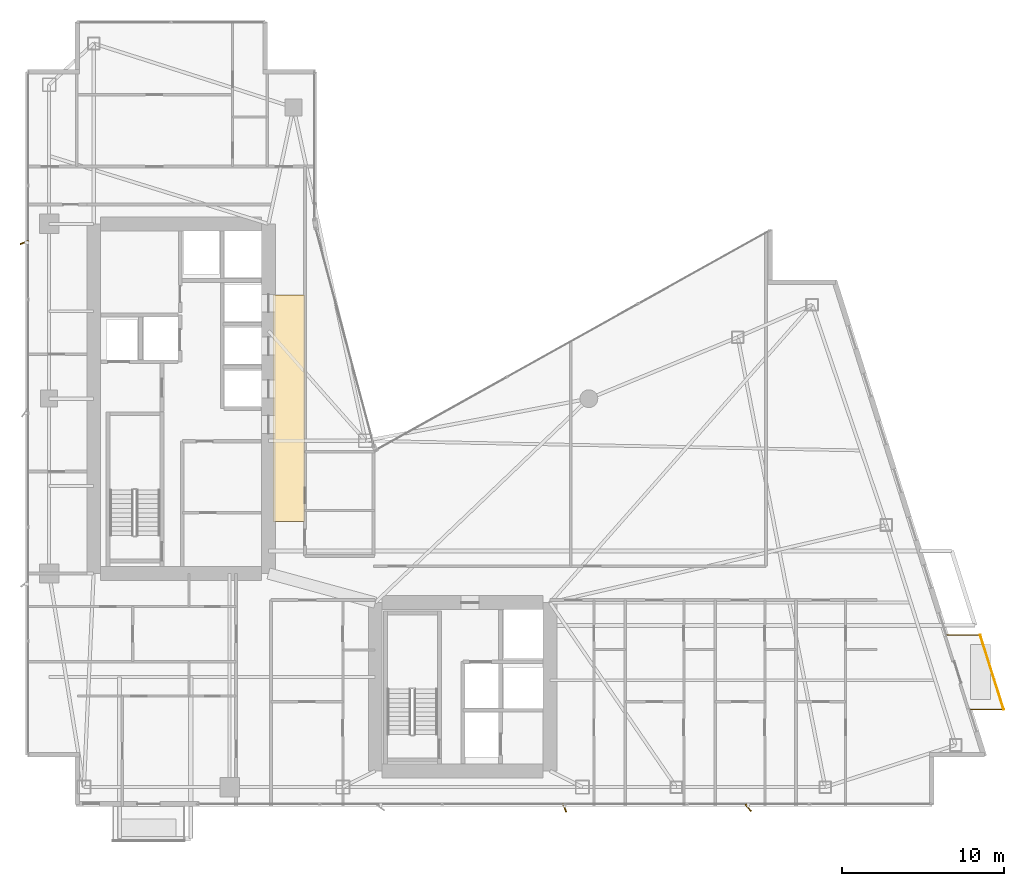
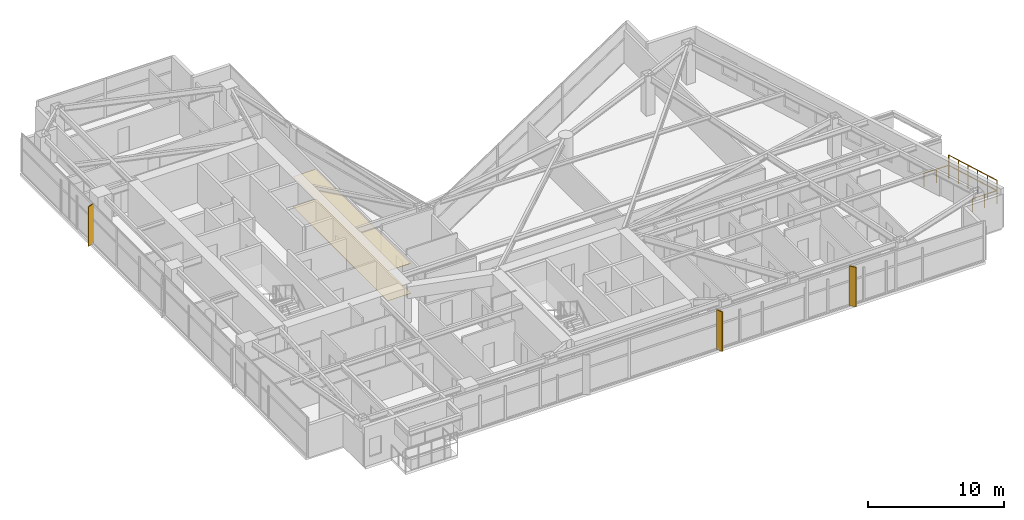
# One storey, part 29 of 29: 3 shading devices, 2 coverings, 2 railings.
"""IFC4 building model written with IfcOpenShell, lengths in metres."""

from ifc_helpers import new_model, si_unit, direction, frame, origin, origin_2d, place, context, subcontext, project, spatial, rectangle, circle, extrude, material, layer, layer_set, type_object, element, save


model = new_model("IFC4")

# Units and contexts
model_context = context("Model", 3, precision=1e-05, world=origin(), true_north=direction((0.0, 1.0)))
body_context = subcontext(model_context, "Body", "Model", "MODEL_VIEW")
ifc_project = project(units=[si_unit("LENGTHUNIT", "METRE"), si_unit("AREAUNIT", "SQUARE_METRE"), si_unit("VOLUMEUNIT", "CUBIC_METRE"), si_unit("PLANEANGLEUNIT", "RADIAN"), si_unit("MASSUNIT", "GRAM", prefix="KILO")], contexts=[model_context])

# Site, building, storey
site_placement = place(None, origin())
site = spatial("IfcSite", under=ifc_project, at=site_placement, CompositionType="ELEMENT")
building_placement = place(site_placement, origin())
building = spatial("IfcBuilding", under=site, at=building_placement, Name="Calvorn Quay Hotel", CompositionType="ELEMENT")
storey_placement = place(building_placement, frame((0.0, 0.0, 171.300048828125)))
storey = spatial("IfcBuildingStorey", under=building, at=storey_placement, Name="L42", CompositionType="ELEMENT", Elevation=171.300048828125)

# Coverings
ifc_material_1 = material(Name="Mineral-Fibre Acoustic Ceiling Tile")
ifc_layer_1 = layer(ifc_material_1, 0.02001953125)
ifc_layer_set_1 = layer_set([ifc_layer_1], Name="COV-CEILING-ACOUSTIC")
covering_type_1 = type_object("IfcCoveringType", Name="COV-CEILING-ACOUSTIC", PredefinedType="CEILING", material=ifc_layer_set_1)
covering_1_placement = place(storey_placement, frame((16.25, 27.0, 2.699951171875), z_axis=(0.0, 0.0, 1.0), x_axis=(1.0, 0.0, 0.0)))
element("IfcCovering", 1, at=covering_1_placement, inside=storey, type_object=covering_type_1, Name="Acoustic Suspended Ceiling (L42)", PredefinedType="CEILING", context=body_context, shape_type="SweptSolid", body=[
    extrude(rectangle(XDim=1.9599609375, YDim=14.0, at=origin_2d()), origin(), (0.0, 0.0, 1.0), 0.02001953125),
])
ifc_material_2 = material(Name="Woven Wool Hospitality Carpet")
ifc_layer_2 = layer(ifc_material_2, 0.02392578125)
ifc_layer_set_2 = layer_set([ifc_layer_2], Name="COV-FLOOR-CARPET")
covering_type_2 = type_object("IfcCoveringType", Name="COV-FLOOR-CARPET", PredefinedType="FLOORING", material=ifc_layer_set_2)
covering_2_placement = place(storey_placement, frame((16.25, 27.0, 0.0), z_axis=(0.0, 0.0, 1.0), x_axis=(1.0, 0.0, 0.0)))
element("IfcCovering", 2, at=covering_2_placement, inside=storey, type_object=covering_type_2, Name="Interior Floor Finish (L42)", PredefinedType="FLOORING", context=body_context, shape_type="SweptSolid", body=[
    extrude(rectangle(XDim=1.9599609375, YDim=14.0, at=origin_2d()), origin(), (0.0, 0.0, 1.0), 0.02392578125),
])

# Railings
ifc_material_3 = material(Name="Pale Anodised Aluminium and Laminated Glass", Category="aluminium")
railing_type = type_object("IfcRailingType", Name="RLG-BALUSTRADE-1200", PredefinedType="BALUSTRADE", material=ifc_material_3)
railing_1_placement = place(storey_placement, frame((58.327880859375, 8.39990234375, 0.0)))
element("IfcRailing", 3, at=railing_1_placement, inside=storey, type_object=railing_type, Name="Tree Balcony Perimeter Balustrade L42-BALC-E", PredefinedType="BALUSTRADE", context=body_context, shape_type="SweptSolid", body=[
    extrude(circle(Radius=0.02392578125, at=origin_2d()), frame((0.0, 0.0, 1.17578125), z_axis=(1.0, 0.0, 0.0), x_axis=(0.0, 1.0, 0.0)), (0.0, 0.0, 1.0), 2.10009765625),
    extrude(circle(Radius=0.02392578125, at=origin_2d()), frame((2.10009765625, 0.0, 1.17578125), z_axis=(-0.300620172346, 0.953743944662, 0.0), x_axis=(-0.953743944662, -0.300620172346, 0.0)), (0.0, 0.0, 1.0), 4.8232421875),
    extrude(circle(Radius=0.02392578125, at=origin_2d()), frame((0.650146484375, 4.60009765625, 1.17578125), z_axis=(-1.0, 0.0, 0.0), x_axis=(0.0, -1.0, 0.0)), (0.0, 0.0, 1.0), 2.10009765625),
    extrude(circle(Radius=0.02099609375, at=origin_2d()), origin(), (0.0, 0.0, 1.0), 1.15185546875),
    extrude(circle(Radius=0.02099609375, at=origin_2d()), frame((1.050048828125, 0.0, 0.0)), (0.0, 0.0, 1.0), 1.15185546875),
    extrude(circle(Radius=0.02099609375, at=origin_2d()), frame((2.10009765625, 0.0, 0.0)), (0.0, 0.0, 1.0), 1.15185546875),
    extrude(circle(Radius=0.02099609375, at=origin_2d()), frame((1.81005859375, 0.919921875, 0.0)), (0.0, 0.0, 1.0), 1.15185546875),
    extrude(circle(Radius=0.02099609375, at=origin_2d()), frame((1.52001953125, 1.840087890625, 0.0)), (0.0, 0.0, 1.0), 1.15185546875),
    extrude(circle(Radius=0.02099609375, at=origin_2d()), frame((1.230224609375, 2.760009765625, 0.0)), (0.0, 0.0, 1.0), 1.15185546875),
    extrude(circle(Radius=0.02099609375, at=origin_2d()), frame((0.940185546875, 3.68017578125, 0.0)), (0.0, 0.0, 1.0), 1.15185546875),
    extrude(circle(Radius=0.02099609375, at=origin_2d()), frame((0.650146484375, 4.60009765625, 0.0)), (0.0, 0.0, 1.0), 1.15185546875),
    extrude(circle(Radius=0.02099609375, at=origin_2d()), frame((-0.39990234375, 4.60009765625, 0.0)), (0.0, 0.0, 1.0), 1.15185546875),
    extrude(circle(Radius=0.02099609375, at=origin_2d()), frame((-1.449951171875, 4.60009765625, 0.0)), (0.0, 0.0, 1.0), 1.15185546875),
])
railing_2_placement = place(storey_placement, frame((60.427978515625, 8.39990234375, 0.89990234375)))
element("IfcRailing", 4, at=railing_2_placement, inside=storey, type_object=railing_type, Name="Planter Kerb High Safety Screen L42-BALC-E", PredefinedType="BALUSTRADE", context=body_context, shape_type="SweptSolid", body=[
    extrude(circle(Radius=0.02392578125, at=origin_2d()), frame((0.0, 0.0, 1.19580078125), z_axis=(-0.300620172346, 0.953743944662, 0.0), x_axis=(-0.953743944662, -0.300620172346, 0.0)), (0.0, 0.0, 1.0), 4.8232421875),
    extrude(circle(Radius=0.02099609375, at=origin_2d()), origin(), (0.0, 0.0, 1.0), 1.171875),
    extrude(circle(Radius=0.02099609375, at=origin_2d()), frame((-0.2900390625, 0.919921875, 0.0)), (0.0, 0.0, 1.0), 1.171875),
    extrude(circle(Radius=0.02099609375, at=origin_2d()), frame((-0.580078125, 1.840087890625, 0.0)), (0.0, 0.0, 1.0), 1.171875),
    extrude(circle(Radius=0.02099609375, at=origin_2d()), frame((-0.869873046875, 2.760009765625, 0.0)), (0.0, 0.0, 1.0), 1.171875),
    extrude(circle(Radius=0.02099609375, at=origin_2d()), frame((-1.159912109375, 3.68017578125, 0.0)), (0.0, 0.0, 1.0), 1.171875),
    extrude(circle(Radius=0.02099609375, at=origin_2d()), frame((-1.449951171875, 4.60009765625, 0.0)), (0.0, 0.0, 1.0), 1.171875),
])

# Shading devices
ifc_material_4 = material(Name="Champagne Bronze Anodised Aluminium 6063-T6", Category="aluminium")
shading_device_type_1 = type_object("IfcShadingDeviceType", Name="SHD-FIN-A1", PredefinedType="USERDEFINED", material=ifc_material_4)
for number, where, z_axis, x_axis, name in (
    (5, (-0.080078125, 37.25, 0.0), (0.0, 0.0, 1.0), (0.927183854567, 0.374606593416, 0.0), "Diagonal Sun-Shading Fin L42-W03"),
    (6, (33.300048828125, 2.320068359375, 0.0), (0.0, 0.0, 1.0), (-0.374606593416, 0.927183854567, 0.0), "Diagonal Sun-Shading Fin L42-S02"),
):
    element("IfcShadingDevice", number, at=place(storey_placement, frame(where, z_axis=z_axis, x_axis=x_axis)), inside=storey, type_object=shading_device_type_1, Name=name, ObjectType="FIN", PredefinedType="USERDEFINED", context=body_context, shape_type="SweptSolid", body=[
        extrude(rectangle(XDim=0.550048828125, YDim=0.080078125, at=origin_2d()), origin(), (0.0, 0.0, 1.0), 3.56005859375),
    ])
ifc_material_5 = material(Name="Champagne Bronze Anodised Aluminium 6063-T6", Category="aluminium")
shading_device_type_2 = type_object("IfcShadingDeviceType", Name="SHD-FIN-A2", PredefinedType="USERDEFINED", material=ifc_material_5)
shading_device_placement = place(storey_placement, frame((44.64990234375, 2.320068359375, 0.0), z_axis=(0.0, 0.0, 1.0), x_axis=(-0.615661475326, 0.788010753607, 0.0)))
element("IfcShadingDevice", 7, at=shading_device_placement, inside=storey, type_object=shading_device_type_2, Name="Diagonal Sun-Shading Fin L42-S03", ObjectType="FIN", PredefinedType="USERDEFINED", context=body_context, shape_type="SweptSolid", body=[
    extrude(rectangle(XDim=0.550048828125, YDim=0.080078125, at=origin_2d()), origin(), (0.0, 0.0, 1.0), 3.56005859375),
])

save(model, "model.ifc")
